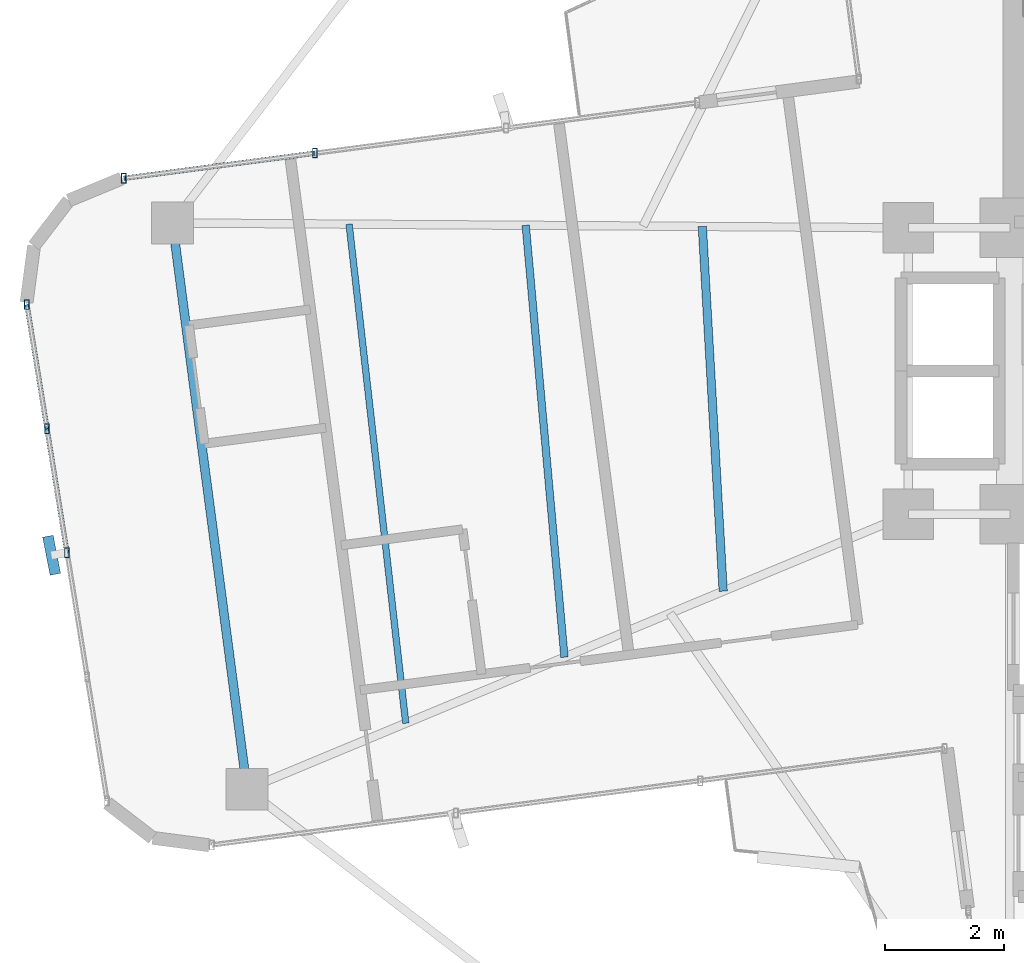
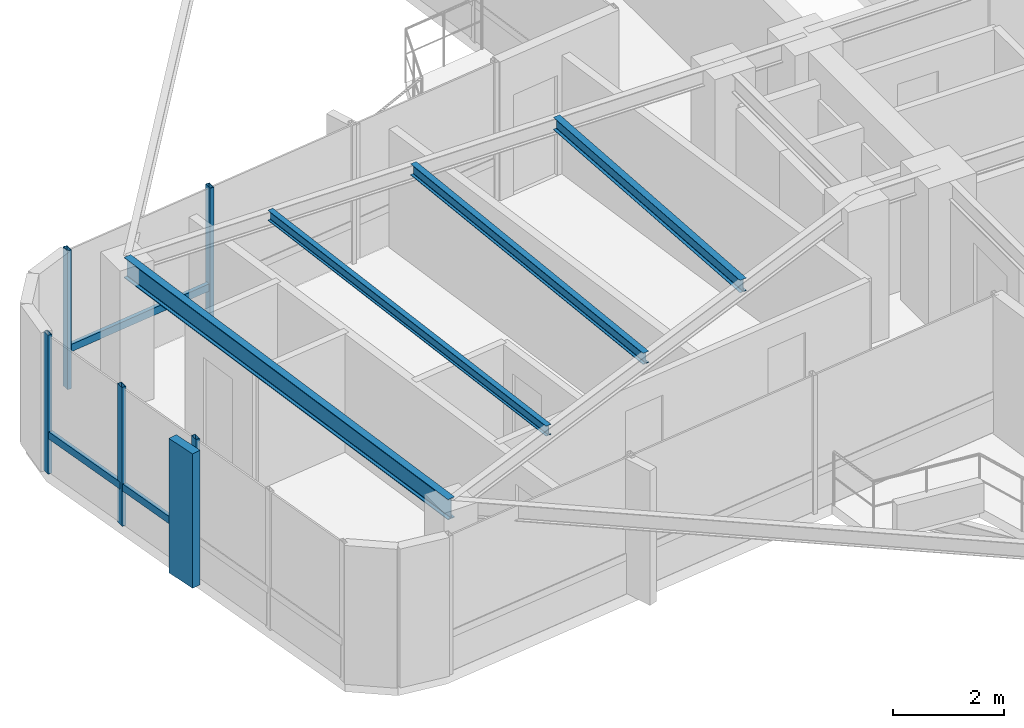
# One storey, part 7 of 23: 9 members, 4 beams, 2 elements without a shape of their own.
"""IFC4 building model written with IfcOpenShell, lengths in metres."""

from ifc_helpers import new_model, si_unit, direction, frame, origin, origin_2d, place, context, subcontext, project, spatial, rectangle, hollow_rectangle, i_section, extrude, source, transform, mapped, material, material_profile, profile_set, type_object, element, aggregate, save


model = new_model("IFC4")

# Units and contexts
model_context = context("Model", 3, precision=1e-05, world=origin(), true_north=direction((0.0, 1.0)))
body_context = subcontext(model_context, "Body", "Model", "MODEL_VIEW")
ifc_project = project(units=[si_unit("LENGTHUNIT", "METRE"), si_unit("AREAUNIT", "SQUARE_METRE"), si_unit("VOLUMEUNIT", "CUBIC_METRE"), si_unit("PLANEANGLEUNIT", "RADIAN"), si_unit("MASSUNIT", "GRAM", prefix="KILO")], contexts=[model_context])

# Site, building, storey
site_placement = place(None, origin())
site = spatial("IfcSite", under=ifc_project, at=site_placement, CompositionType="ELEMENT")
building_placement = place(site_placement, origin())
building = spatial("IfcBuilding", under=site, at=building_placement, Name="Sahyath Konkavel Grand Hotel", CompositionType="ELEMENT")
storey_placement = place(building_placement, frame((0.0, 0.0, 226.60009765625)))
storey = spatial("IfcBuildingStorey", under=building, at=storey_placement, Name="L63", CompositionType="ELEMENT", Elevation=226.60009765625)

# Beams
ifc_material_1 = material(Name="Steel E350", Category="steel")
ifc_material_profile_1 = material_profile(ifc_material_1, i_section(OverallWidth=0.14990234375, OverallDepth=0.449951171875, WebThickness=0.009521484375, FlangeThickness=0.017333984375, FilletRadius=0.014892578125, at=origin_2d()), Name="ISMB 450")
ifc_profile_set_1 = profile_set([ifc_material_profile_1], Name="Steel E350")
beam_type_1 = type_object("IfcBeamType", Name="BM-ISMB450", PredefinedType="BEAM", material=ifc_profile_set_1)
shared_shape_1 = source(origin(), body_context, "Body", "SweptSolid", [
    extrude(i_section(OverallWidth=0.14990234375, OverallDepth=0.449951171875, WebThickness=0.009521484375, FlangeThickness=0.017333984375, FilletRadius=0.014892578125, at=origin_2d()), origin(), (0.0, 0.0, 1.0), 9.576171875),
])
beam_1_placement = place(storey_placement, frame((-17.83642578125, 2.481201171875, 2.824951171875), z_axis=(0.13053365207, -0.991443879237, 0.0), x_axis=(0.991443879237, 0.13053365207, 0.0)))
element("IfcBeam", 1, at=beam_1_placement, inside=storey, type_object=beam_type_1, Name="L63 Wing Tip Edge Beam W", PredefinedType="BEAM", context=body_context, shape_type="MappedRepresentation", body=[
    mapped(shared_shape_1, transform((0.0, 0.0, 0.0), scale=1.0)),
])
ifc_material_profile_2 = material_profile(ifc_material_1, i_section(OverallWidth=0.139892578125, OverallDepth=0.27490234375, WebThickness=0.00634765625, FlangeThickness=0.0087890625, FilletRadius=0.012939453125, at=origin_2d()), Name="ISLB 275")
ifc_profile_set_2 = profile_set([ifc_material_profile_2], Name="Steel E350")
beam_type_2 = type_object("IfcBeamType", Name="BM-ISLB275", PredefinedType="BEAM", material=ifc_profile_set_2)
shared_shape_2 = source(origin(), body_context, "Body", "SweptSolid", [
    extrude(i_section(OverallWidth=0.139892578125, OverallDepth=0.27490234375, WebThickness=0.00634765625, FlangeThickness=0.0087890625, FilletRadius=0.012939453125, at=origin_2d()), origin(), (0.0, 0.0, 1.0), 6.124267578125),
])
beam_2_placement = place(storey_placement, frame((-8.9541015625, 2.422607421875, 2.912353515625), z_axis=(0.057125854079, -0.998366985029, 0.0), x_axis=(0.998366985029, 0.057125854079, 0.0)))
element("IfcBeam", 2, at=beam_2_placement, inside=storey, type_object=beam_type_2, Name="L63 Secondary Floor Beam W-1", PredefinedType="BEAM", context=body_context, shape_type="MappedRepresentation", body=[
    mapped(shared_shape_2, transform((0.0, 0.0, 0.0), scale=1.0)),
])
ifc_material_profile_3 = material_profile(ifc_material_1, i_section(OverallWidth=0.125, OverallDepth=0.25, WebThickness=0.0068359375, FlangeThickness=0.012451171875, FilletRadius=0.012939453125, at=origin_2d()), Name="ISMB 250")
ifc_profile_set_3 = profile_set([ifc_material_profile_3], Name="Steel E350")
beam_type_3 = type_object("IfcBeamType", Name="BM-ISMB250", PredefinedType="BEAM", material=ifc_profile_set_3)
shared_shape_3 = source(origin(), body_context, "Body", "SweptSolid", [
    extrude(i_section(OverallWidth=0.125, OverallDepth=0.25, WebThickness=0.0068359375, FlangeThickness=0.012451171875, FilletRadius=0.012939453125, at=origin_2d()), origin(), (0.0, 0.0, 1.0), 7.27001953125),
])
beam_3_placement = place(storey_placement, frame((-11.914794921875, 2.442138671875, 2.9248046875), z_axis=(0.08939418783, -0.995996324884, 0.0), x_axis=(0.995996324884, 0.08939418783, 0.0)))
element("IfcBeam", 3, at=beam_3_placement, inside=storey, type_object=beam_type_3, Name="L63 Secondary Floor Beam W-2", PredefinedType="BEAM", context=body_context, shape_type="MappedRepresentation", body=[
    mapped(shared_shape_3, transform((0.0, 0.0, 0.0), scale=1.0)),
])
ifc_material_profile_4 = material_profile(ifc_material_1, i_section(OverallWidth=0.110107421875, OverallDepth=0.22509765625, WebThickness=0.006591796875, FlangeThickness=0.01171875, FilletRadius=0.011962890625, at=origin_2d()), Name="ISMB 225")
ifc_profile_set_4 = profile_set([ifc_material_profile_4], Name="Steel E350")
beam_type_4 = type_object("IfcBeamType", Name="BM-ISMB225", PredefinedType="BEAM", material=ifc_profile_set_4)
shared_shape_4 = source(origin(), body_context, "Body", "SweptSolid", [
    extrude(i_section(OverallWidth=0.110107421875, OverallDepth=0.22509765625, WebThickness=0.006591796875, FlangeThickness=0.01171875, FilletRadius=0.011962890625, at=origin_2d()), origin(), (0.0, 0.0, 1.0), 8.42138671875),
])
beam_4_placement = place(storey_placement, frame((-14.875732421875, 2.461669921875, 2.9375), z_axis=(0.112801708796, -0.993617519216, 0.0), x_axis=(0.993617519216, 0.112801708796, 0.0)))
element("IfcBeam", 4, at=beam_4_placement, inside=storey, type_object=beam_type_4, Name="L63 Secondary Floor Beam W-3", PredefinedType="BEAM", context=body_context, shape_type="MappedRepresentation", body=[
    mapped(shared_shape_4, transform((0.0, 0.0, 0.0), scale=1.0)),
])

# Curtain wall, members
ifc_material_2 = material(Name="Anodised Bronze Aluminium & Low-E Glazing", Category="aluminium")
curtain_wall_type = type_object("IfcCurtainWallType", Name="CW-ZONE4", PredefinedType="NOTDEFINED", material=ifc_material_2)
curtain_wall_1_placement = place(storey_placement, origin())
curtain_wall_1 = element("IfcCurtainWall", 5, at=curtain_wall_1_placement, inside=storey, type_object=curtain_wall_type, Name="L63 Unitised Curtain Wall F16", PredefinedType="NOTDEFINED")
ifc_material_3 = material(Name="Anodised Bronze Aluminium", Category="aluminium")
ifc_material_profile_5 = material_profile(ifc_material_3, hollow_rectangle(XDim=0.080078125, YDim=0.159912109375, WallThickness=0.006103515625, at=origin_2d()), Name="RHS 160x80x6")
ifc_profile_set_5 = profile_set([ifc_material_profile_5], Name="Anodised Bronze Aluminium")
member_type_1 = type_object("IfcMemberType", Name="CW-MUL-160", PredefinedType="MULLION", material=ifc_profile_set_5)
shared_shape_5 = source(origin(), body_context, "Body", "SweptSolid", [
    extrude(hollow_rectangle(XDim=0.080078125, YDim=0.159912109375, WallThickness=0.006103515625, at=origin_2d()), origin(), (0.0, 0.0, 1.0), 3.0498046875),
])
member_1_placement = place(storey_placement, frame((-15.4482421875, 3.65283203125, 0.0), z_axis=(0.0, 0.0, 1.0), x_axis=(1.0, 0.0, 0.0)))
member_1 = element("IfcMember", 6, at=member_1_placement, type_object=member_type_1, Name="L63 Curtain Wall Mullion F16-2", PredefinedType="MULLION", context=body_context, shape_type="MappedRepresentation", body=[
    mapped(shared_shape_5, transform((0.0, 0.0, 0.0), scale=1.0)),
])
member_2_placement = place(storey_placement, frame((-18.6513671875, 3.231201171875, 0.0), z_axis=(0.0, 0.0, 1.0), x_axis=(1.0, 0.0, 0.0)))
member_2 = element("IfcMember", 7, at=member_2_placement, type_object=member_type_1, Name="L63 Curtain Wall Mullion F16-3", PredefinedType="MULLION", context=body_context, shape_type="MappedRepresentation", body=[
    mapped(shared_shape_5, transform((0.0, 0.0, 0.0), scale=1.0)),
])

curtain_wall_2_placement = place(storey_placement, origin())
curtain_wall_2 = element("IfcCurtainWall", 8, at=curtain_wall_2_placement, inside=storey, type_object=curtain_wall_type, Name="L63 Unitised Curtain Wall F20", PredefinedType="NOTDEFINED")
member_3_placement = place(storey_placement, frame((-20.27734375, 1.11083984375, 0.0), z_axis=(0.0, 0.0, 1.0), x_axis=(1.0, 0.0, 0.0)))
member_3 = element("IfcMember", 9, at=member_3_placement, type_object=member_type_1, Name="L63 Curtain Wall Mullion F20-0", PredefinedType="MULLION", context=body_context, shape_type="MappedRepresentation", body=[
    mapped(shared_shape_5, transform((0.0, 0.0, 0.0), scale=1.0)),
])
member_4_placement = place(storey_placement, frame((-19.941650390625, -0.968505859375, 0.0), z_axis=(0.0, 0.0, 1.0), x_axis=(1.0, 0.0, 0.0)))
member_4 = element("IfcMember", 10, at=member_4_placement, type_object=member_type_1, Name="L63 Curtain Wall Mullion F20-1", PredefinedType="MULLION", context=body_context, shape_type="MappedRepresentation", body=[
    mapped(shared_shape_5, transform((0.0, 0.0, 0.0), scale=1.0)),
])
member_5_placement = place(storey_placement, frame((-19.60595703125, -3.047607421875, 0.0), z_axis=(0.0, 0.0, 1.0), x_axis=(1.0, 0.0, 0.0)))
member_5 = element("IfcMember", 11, at=member_5_placement, type_object=member_type_1, Name="L63 Curtain Wall Mullion F20-2", PredefinedType="MULLION", context=body_context, shape_type="MappedRepresentation", body=[
    mapped(shared_shape_5, transform((0.0, 0.0, 0.0), scale=1.0)),
])
ifc_material_4 = material(Name="Warm Buff Sandstone Cladding on Concrete C50/60", Category="masonry")
ifc_material_profile_6 = material_profile(ifc_material_4, rectangle(XDim=0.179931640625, YDim=0.64990234375, at=origin_2d()), Name="FIN 180x650")
ifc_profile_set_6 = profile_set([ifc_material_profile_6], Name="Warm Buff Sandstone Cladding on Concrete C50/60")
member_type_2 = type_object("IfcMemberType", Name="FIN-SANDSTONE-650", PredefinedType="MULLION", material=ifc_profile_set_6)
shared_shape_6 = source(origin(), body_context, "Body", "SweptSolid", [
    extrude(rectangle(XDim=0.179931640625, YDim=0.64990234375, at=origin_2d()), origin(), (0.0, 0.0, 1.0), 2.9501953125),
])
member_6_placement = place(storey_placement, frame((-19.86279296875, -3.089111328125, 0.0498046875), z_axis=(0.0, 0.0, 1.0), x_axis=(0.981527141537, 0.191322947989, 0.0)))
member_6 = element("IfcMember", 12, at=member_6_placement, type_object=member_type_2, Name="L63 Sandstone Vertical Solar Fin FIN F20-2", PredefinedType="MULLION", context=body_context, shape_type="MappedRepresentation", body=[
    mapped(shared_shape_6, transform((0.0, 0.0, 0.0), scale=1.0)),
])

# Member
ifc_material_profile_7 = material_profile(ifc_material_3, hollow_rectangle(XDim=0.080078125, YDim=0.159912109375, WallThickness=0.006103515625, at=origin_2d()), Name="RHS 160x80x6")
ifc_profile_set_7 = profile_set([ifc_material_profile_7], Name="Anodised Bronze Aluminium")
member_type_3 = type_object("IfcMemberType", Name="CW-TRN-160", PredefinedType="USERDEFINED", material=ifc_profile_set_7)
shared_shape_7 = source(origin(), body_context, "Body", "SweptSolid", [
    extrude(hollow_rectangle(XDim=0.080078125, YDim=0.159912109375, WallThickness=0.006103515625, at=origin_2d()), origin(), (0.0, 0.0, 1.0), 3.230712890625),
])
member_7_placement = place(storey_placement, frame((-15.4482421875, 3.65283203125, 0.849853515625), z_axis=(-0.991447606837, -0.130505336662, 0.0), x_axis=(0.130505336662, -0.991447606837, 0.0)))
member_7 = element("IfcMember", 13, at=member_7_placement, type_object=member_type_3, Name="L63 Curtain Wall Transom F16-2-spandrel", ObjectType="TRANSOM", PredefinedType="USERDEFINED", context=body_context, shape_type="MappedRepresentation", body=[
    mapped(shared_shape_7, transform((0.0, 0.0, 0.0), scale=1.0)),
])

aggregate(curtain_wall_1, [member_1, member_2, member_7])

shared_shape_8 = source(origin(), body_context, "Body", "SweptSolid", [
    extrude(hollow_rectangle(XDim=0.080078125, YDim=0.159912109375, WallThickness=0.006103515625, at=origin_2d()), origin(), (0.0, 0.0, 1.0), 2.106201171875),
])
member_8_placement = place(storey_placement, frame((-20.27734375, 1.11083984375, 0.849853515625), z_axis=(0.159378208048, -0.987217598506, 0.0), x_axis=(0.987217598506, 0.159378208048, 0.0)))
member_8 = element("IfcMember", 14, at=member_8_placement, type_object=member_type_3, Name="L63 Curtain Wall Transom F20-0-spandrel", ObjectType="TRANSOM", PredefinedType="USERDEFINED", context=body_context, shape_type="MappedRepresentation", body=[
    mapped(shared_shape_8, transform((0.0, 0.0, 0.0), scale=1.0)),
])

shared_shape_9 = source(origin(), body_context, "Body", "SweptSolid", [
    extrude(hollow_rectangle(XDim=0.080078125, YDim=0.159912109375, WallThickness=0.006103515625, at=origin_2d()), origin(), (0.0, 0.0, 1.0), 2.10595703125),
])
member_9_placement = place(storey_placement, frame((-19.941650390625, -0.968505859375, 0.849853515625), z_axis=(0.159396447724, -0.987214653686, 0.0), x_axis=(0.987214653686, 0.159396447724, 0.0)))
member_9 = element("IfcMember", 15, at=member_9_placement, type_object=member_type_3, Name="L63 Curtain Wall Transom F20-1-spandrel", ObjectType="TRANSOM", PredefinedType="USERDEFINED", context=body_context, shape_type="MappedRepresentation", body=[
    mapped(shared_shape_9, transform((0.0, 0.0, 0.0), scale=1.0)),
])

aggregate(curtain_wall_2, [member_3, member_4, member_5, member_6, member_8, member_9])

save(model, "model.ifc")
